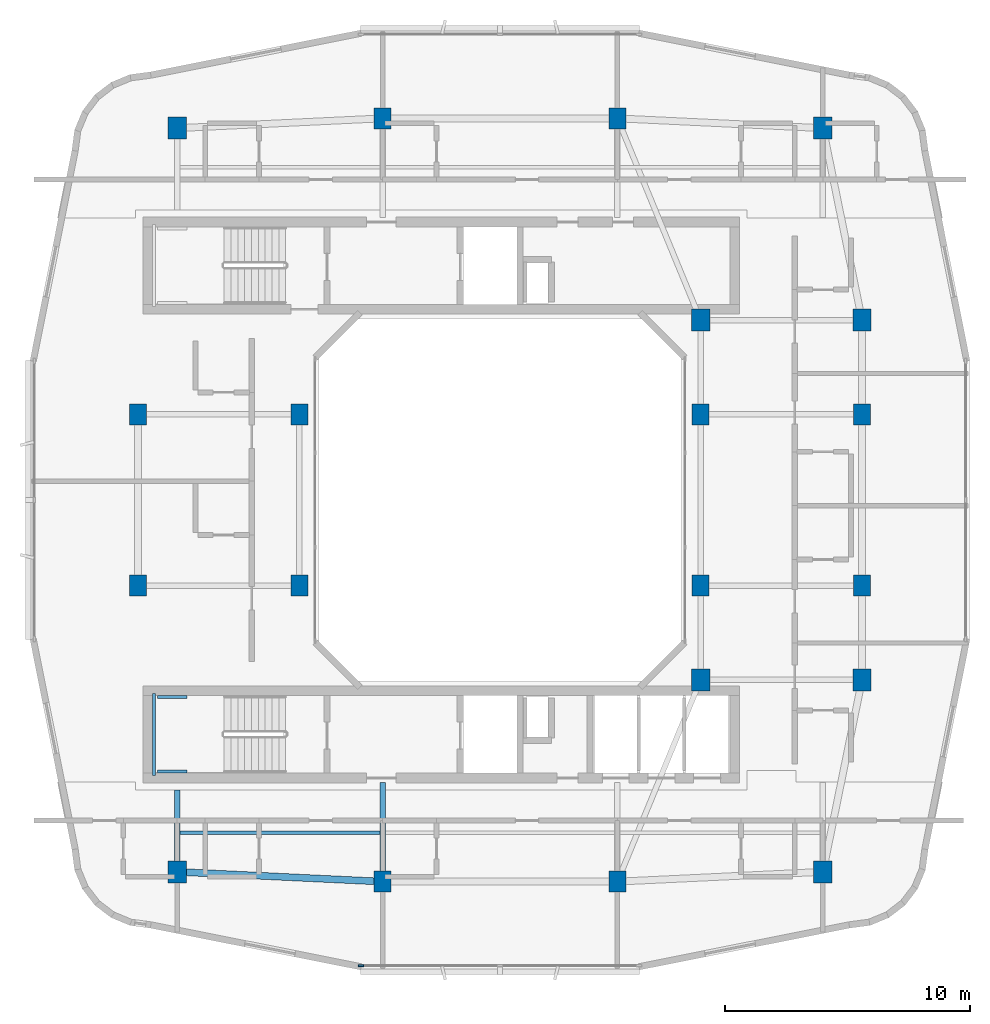
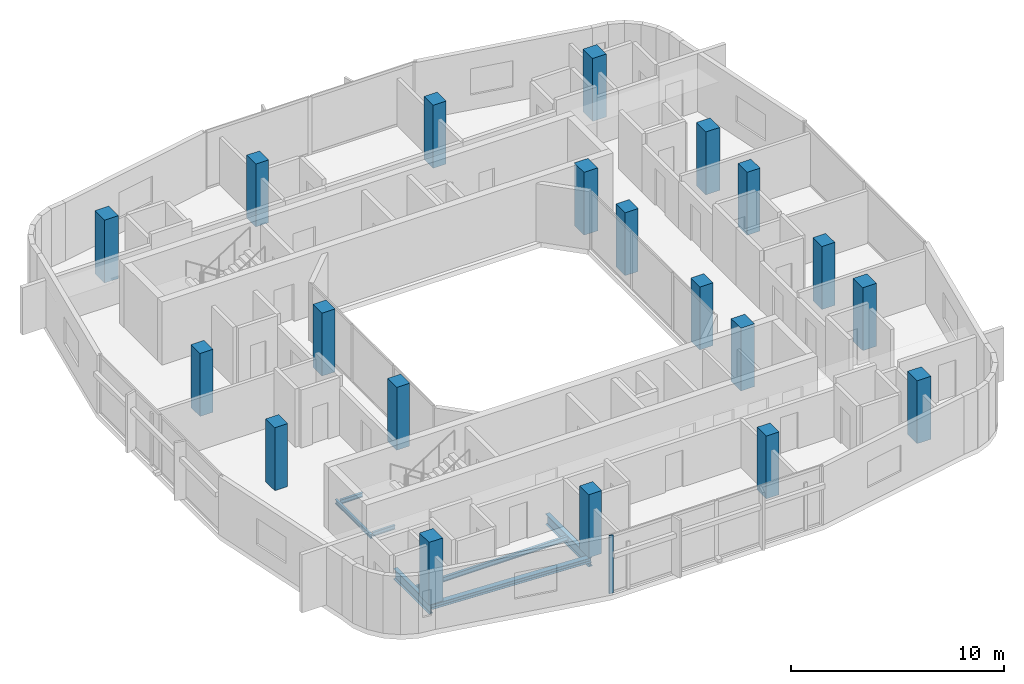
# One storey, part 1 of 14: 20 columns, 7 beams, 1 member, 1 element without a shape of its own.
"""IFC4 building model written with IfcOpenShell, lengths in metres."""

from ifc_helpers import new_model, si_unit, derived_unit, direction, frame, origin, origin_2d, place, context, subcontext, project, spatial, rectangle, i_section, extrude, material, layer, layer_set, material_profile, profile_set, type_object, element, aggregate, save


model = new_model("IFC4")

# Units and contexts
model_context = context("Model", 3, precision=1e-05, world=origin(), true_north=direction((0.0, 1.0)))
body_context = subcontext(model_context, "Body", "Model", "MODEL_VIEW")
ifc_project = project(units=[si_unit("LENGTHUNIT", "METRE"), si_unit("AREAUNIT", "SQUARE_METRE"), si_unit("VOLUMEUNIT", "CUBIC_METRE"), si_unit("PLANEANGLEUNIT", "RADIAN"), si_unit("MASSUNIT", "GRAM", prefix="KILO"), derived_unit("THERMALTRANSMITTANCEUNIT", [(si_unit("POWERUNIT", "WATT"), 1), (si_unit("LENGTHUNIT", "METRE"), -2), (si_unit("THERMODYNAMICTEMPERATUREUNIT", "KELVIN"), -1)])], contexts=[model_context])

# Site, building, storey
site_placement = place(None, origin())
site = spatial("IfcSite", under=ifc_project, at=site_placement, CompositionType="ELEMENT")
building_placement = place(site_placement, origin())
building = spatial("IfcBuilding", under=site, at=building_placement, Name="Kivonza Crest Hotel", CompositionType="ELEMENT")
storey_placement = place(building_placement, frame((0.0, 0.0, 224.300048828125)))
storey = spatial("IfcBuildingStorey", under=building, at=storey_placement, Name="L61", CompositionType="ELEMENT", Elevation=224.300048828125)

# Columns
ifc_material_1 = material(Name="Concrete C50/60", Category="concrete")
ifc_material_profile_1 = material_profile(ifc_material_1, rectangle(XDim=0.699951171875, YDim=0.85009765625, at=origin_2d()), Name="RC 850x700")
ifc_profile_set_1 = profile_set([ifc_material_profile_1], Name="Concrete C50/60")
column_type_1 = type_object("IfcColumnType", Name="CL-RC-850x700", PredefinedType="COLUMN", material=ifc_profile_set_1)
for number, where, z_axis, x_axis, name in (
    (1, (16.199951171875, 9.39990234375, 0.0), (0.0, 0.0, 1.0), (1.0, 0.0, 0.0), "Tower T1 L61 column S1"),
    (2, (25.800048828125, 9.39990234375, 0.0), (0.0, 0.0, 1.0), (1.0, 0.0, 0.0), "Tower T1 L61 column S2"),
    (3, (16.199951171875, 40.60009765625, 0.0), (0.0, 0.0, 1.0), (1.0, 0.0, 0.0), "Tower T1 L61 column N1"),
    (4, (25.800048828125, 40.60009765625, 0.0), (0.0, 0.0, 1.0), (1.0, 0.0, 0.0), "Tower T1 L61 column N2"),
    (5, (6.199951171875, 21.5, 0.0), (0.0, 0.0, 1.0), (1.0, 0.0, 0.0), "Tower T1 L61 column W1"),
    (6, (6.199951171875, 28.5, 0.0), (0.0, 0.0, 1.0), (1.0, 0.0, 0.0), "Tower T1 L61 column W2"),
    (7, (35.800048828125, 21.5, 0.0), (0.0, 0.0, 1.0), (1.0, 0.0, 0.0), "Tower T1 L61 column E1"),
    (8, (35.800048828125, 28.5, 0.0), (0.0, 0.0, 1.0), (1.0, 0.0, 0.0), "Tower T1 L61 column E2"),
    (9, (12.800048828125, 21.5, 0.0), (0.0, 0.0, 1.0), (1.0, 0.0, 0.0), "Tower T1 L61 column WL1"),
    (10, (12.800048828125, 28.5, 0.0), (0.0, 0.0, 1.0), (1.0, 0.0, 0.0), "Tower T1 L61 column WL2"),
    (11, (29.199951171875, 21.5, 0.0), (0.0, 0.0, 1.0), (1.0, 0.0, 0.0), "Tower T1 L61 column WR1"),
    (12, (29.199951171875, 28.5, 0.0), (0.0, 0.0, 1.0), (1.0, 0.0, 0.0), "Tower T1 L61 column WR2"),
):
    element("IfcColumn", number, at=place(storey_placement, frame(where, z_axis=z_axis, x_axis=x_axis)), inside=storey, type_object=column_type_1, Name=name, PredefinedType="COLUMN", context=body_context, shape_type="SweptSolid", body=[
        extrude(rectangle(XDim=0.699951171875, YDim=0.85009765625, at=origin_2d()), origin(), (0.0, 0.0, 1.0), 3.599853515625),
    ])
ifc_material_profile_2 = material_profile(ifc_material_1, rectangle(XDim=0.75, YDim=0.89990234375, at=origin_2d()), Name="RC 900x750")
ifc_profile_set_2 = profile_set([ifc_material_profile_2], Name="Concrete C50/60")
column_type_2 = type_object("IfcColumnType", Name="CL-RC-900x750", PredefinedType="COLUMN", material=ifc_profile_set_2)
for number, where, z_axis, x_axis, name in (
    (13, (7.800048828125, 9.800048828125, 0.0), (0.0, 0.0, 1.0), (1.0, 0.0, 0.0), "Tower T1 L61 column SW"),
    (14, (34.199951171875, 9.800048828125, 0.0), (0.0, 0.0, 1.0), (1.0, 0.0, 0.0), "Tower T1 L61 column SE"),
    (15, (34.199951171875, 40.199951171875, 0.0), (0.0, 0.0, 1.0), (1.0, 0.0, 0.0), "Tower T1 L61 column NE"),
    (16, (7.800048828125, 40.199951171875, 0.0), (0.0, 0.0, 1.0), (1.0, 0.0, 0.0), "Tower T1 L61 column NW"),
    (17, (35.800048828125, 17.64990234375, 0.0), (0.0, 0.0, 1.0), (1.0, 0.0, 0.0), "Tower T1 L61 column PSE"),
    (18, (35.800048828125, 32.35009765625, 0.0), (0.0, 0.0, 1.0), (1.0, 0.0, 0.0), "Tower T1 L61 column PNE"),
    (19, (29.199951171875, 17.64990234375, 0.0), (0.0, 0.0, 1.0), (1.0, 0.0, 0.0), "Tower T1 L61 column TSE"),
    (20, (29.199951171875, 32.35009765625, 0.0), (0.0, 0.0, 1.0), (1.0, 0.0, 0.0), "Tower T1 L61 column TNE"),
):
    element("IfcColumn", number, at=place(storey_placement, frame(where, z_axis=z_axis, x_axis=x_axis)), inside=storey, type_object=column_type_2, Name=name, PredefinedType="COLUMN", context=body_context, shape_type="SweptSolid", body=[
        extrude(rectangle(XDim=0.75, YDim=0.89990234375, at=origin_2d()), origin(), (0.0, 0.0, 1.0), 3.599853515625),
    ])

# Beams
ifc_material_2 = material(Name="Steel S355", Category="steel")
ifc_material_profile_3 = material_profile(ifc_material_2, i_section(OverallWidth=0.280029296875, OverallDepth=0.280029296875, WebThickness=0.010498046875, FlangeThickness=0.01806640625, FilletRadius=0.02392578125, at=origin_2d()), Name="HEB 280")
ifc_profile_set_3 = profile_set([ifc_material_profile_3], Name="Steel S355")
beam_type_1 = type_object("IfcBeamType", Name="BM-HEB280", PredefinedType="SPANDREL", material=ifc_profile_set_3)
beam_1_placement = place(storey_placement, frame((7.800048828125, 9.800048828125, -0.420166015625), z_axis=(0.998867283688, -0.047583080799, 0.0), x_axis=(0.047583080799, 0.998867283688, 0.0)))
element("IfcBeam", 21, at=beam_1_placement, inside=storey, type_object=beam_type_1, Name="Tower T1 L61 perimeter spandrel SW-S1", PredefinedType="SPANDREL", context=body_context, shape_type="SweptSolid", body=[
    extrude(i_section(OverallWidth=0.280029296875, OverallDepth=0.280029296875, WebThickness=0.010498046875, FlangeThickness=0.01806640625, FilletRadius=0.02392578125, at=origin_2d()), origin(), (0.0, 0.0, 1.0), 8.409423828125),
])
ifc_material_profile_4 = material_profile(ifc_material_2, i_section(OverallWidth=0.135009765625, OverallDepth=0.27001953125, WebThickness=0.006591796875, FlangeThickness=0.01025390625, FilletRadius=0.014892578125, at=origin_2d()), Name="IPE 270")
ifc_profile_set_4 = profile_set([ifc_material_profile_4], Name="Steel S355")
beam_type_2 = type_object("IfcBeamType", Name="BM-IPE270", PredefinedType="JOIST", material=ifc_profile_set_4)
beam_2_placement = place(storey_placement, frame((7.8798828125, 11.39990234375, -0.4150390625), z_axis=(1.0, 0.0, 0.0), x_axis=(0.0, 1.0, 0.0)))
element("IfcBeam", 22, at=beam_2_placement, inside=storey, type_object=beam_type_2, Name="Tower T1 L61 South-West floor joist", PredefinedType="JOIST", context=body_context, shape_type="SweptSolid", body=[
    extrude(i_section(OverallWidth=0.135009765625, OverallDepth=0.27001953125, WebThickness=0.006591796875, FlangeThickness=0.01025390625, FilletRadius=0.014892578125, at=origin_2d()), origin(), (0.0, 0.0, 1.0), 8.240234375),
])
ifc_material_profile_5 = material_profile(ifc_material_2, i_section(OverallWidth=0.219970703125, OverallDepth=0.60009765625, WebThickness=0.011962890625, FlangeThickness=0.01904296875, FilletRadius=0.02392578125, at=origin_2d()), Name="IPE 600")
ifc_profile_set_5 = profile_set([ifc_material_profile_5], Name="Steel S355")
beam_type_3 = type_object("IfcBeamType", Name="BM-IPE600", PredefinedType="BEAM", material=ifc_profile_set_5)
beam_3_placement = place(storey_placement, frame((7.800048828125, 9.800048828125, -0.580078125), z_axis=(0.0, 1.0, 0.0), x_axis=(-1.0, 0.0, 0.0)))
element("IfcBeam", 23, at=beam_3_placement, inside=storey, type_object=beam_type_3, Name="Tower T1 L61 radial core girder RSW", PredefinedType="BEAM", context=body_context, shape_type="SweptSolid", body=[
    extrude(i_section(OverallWidth=0.219970703125, OverallDepth=0.60009765625, WebThickness=0.011962890625, FlangeThickness=0.01904296875, FilletRadius=0.02392578125, at=origin_2d()), origin(), (0.0, 0.0, 1.0), 3.349853515625),
])
beam_4_placement = place(storey_placement, frame((16.199951171875, 9.39990234375, -0.580078125), z_axis=(0.0, 1.0, 0.0), x_axis=(-1.0, 0.0, 0.0)))
element("IfcBeam", 24, at=beam_4_placement, inside=storey, type_object=beam_type_3, Name="Tower T1 L61 radial core girder RS1", PredefinedType="BEAM", context=body_context, shape_type="SweptSolid", body=[
    extrude(i_section(OverallWidth=0.219970703125, OverallDepth=0.60009765625, WebThickness=0.011962890625, FlangeThickness=0.01904296875, FilletRadius=0.02392578125, at=origin_2d()), origin(), (0.0, 0.0, 1.0), 4.050048828125),
])
ifc_material_profile_6 = material_profile(ifc_material_2, i_section(OverallWidth=0.1201171875, OverallDepth=0.239990234375, WebThickness=0.006103515625, FlangeThickness=0.009765625, FilletRadius=0.014892578125, at=origin_2d()), Name="IPE 240")
ifc_profile_set_6 = profile_set([ifc_material_profile_6], Name="Steel S355")
beam_type_4 = type_object("IfcBeamType", Name="BM-LLDG-240", PredefinedType="BEAM", material=ifc_profile_set_6)
beam_5_placement = place(storey_placement, frame((6.860107421875, 13.739990234375, 1.47998046875), z_axis=(0.0, 1.0, 0.0), x_axis=(-1.0, 0.0, 0.0)))
element("IfcBeam", 25, at=beam_5_placement, inside=storey, type_object=beam_type_4, Name="Stair ST-T1-S L61 West landing corbel", PredefinedType="BEAM", context=body_context, shape_type="SweptSolid", body=[
    extrude(i_section(OverallWidth=0.1201171875, OverallDepth=0.239990234375, WebThickness=0.006103515625, FlangeThickness=0.009765625, FilletRadius=0.014892578125, at=origin_2d()), origin(), (0.0, 0.0, 1.0), 3.360107421875),
])
for number, where, z_axis, x_axis, name in (
    (26, (6.989990234375, 13.89990234375, 1.47998046875), (1.0, 0.0, 0.0), (0.0, 1.0, 0.0), "Stair ST-T1-S L61 South landing corbel"),
    (27, (6.989990234375, 16.93994140625, 1.47998046875), (1.0, 0.0, 0.0), (0.0, 1.0, 0.0), "Stair ST-T1-S L61 North landing corbel"),
):
    element("IfcBeam", number, at=place(storey_placement, frame(where, z_axis=z_axis, x_axis=x_axis)), inside=storey, type_object=beam_type_4, Name=name, PredefinedType="BEAM", context=body_context, shape_type="SweptSolid", body=[
        extrude(i_section(OverallWidth=0.1201171875, OverallDepth=0.239990234375, WebThickness=0.006103515625, FlangeThickness=0.009765625, FilletRadius=0.014892578125, at=origin_2d()), origin(), (0.0, 0.0, 1.0), 1.2099609375),
    ])

# Curtain wall, member
ifc_material_3 = material(Name="Anodised bronze aluminium and low-E double glazing", Category="aluminium")
ifc_layer = layer(ifc_material_3, 0.179931640625)
ifc_layer_set = layer_set([ifc_layer], Name="Anodised bronze aluminium and low-E double glazing")
curtain_wall_type = type_object("IfcCurtainWallType", Name="CW-SYS-3", PredefinedType="NOTDEFINED", material=ifc_layer_set)
curtain_wall_placement = place(storey_placement, origin())
curtain_wall = element("IfcCurtainWall", 28, at=curtain_wall_placement, inside=storey, type_object=curtain_wall_type, Name="L61 unitised curtain wall CW-T1-L61-08", PredefinedType="NOTDEFINED")
ifc_material_4 = material(Name="Anodised bronze aluminium", Category="aluminium")
ifc_material_profile_7 = material_profile(ifc_material_4, rectangle(XDim=0.074951171875, YDim=0.219970703125, at=origin_2d()), Name="CW-M 75x220")
ifc_profile_set_7 = profile_set([ifc_material_profile_7], Name="Anodised bronze aluminium")
member_type = type_object("IfcMemberType", Name="CW-MUL-75x220", PredefinedType="MULLION", material=ifc_profile_set_7)
member_placement = place(storey_placement, frame((15.3173828125, 5.9599609375, 0.0), z_axis=(0.0, 0.0, 1.0), x_axis=(0.0, 1.0, 0.0)))
member = element("IfcMember", 29, at=member_placement, type_object=member_type, Name="CW-3 mullion 1", PredefinedType="MULLION", context=body_context, shape_type="SweptSolid", body=[
    extrude(rectangle(XDim=0.074951171875, YDim=0.219970703125, at=origin_2d()), origin(), (0.0, 0.0, 1.0), 3.320068359375),
])
aggregate(curtain_wall, [member])

save(model, "model.ifc")
